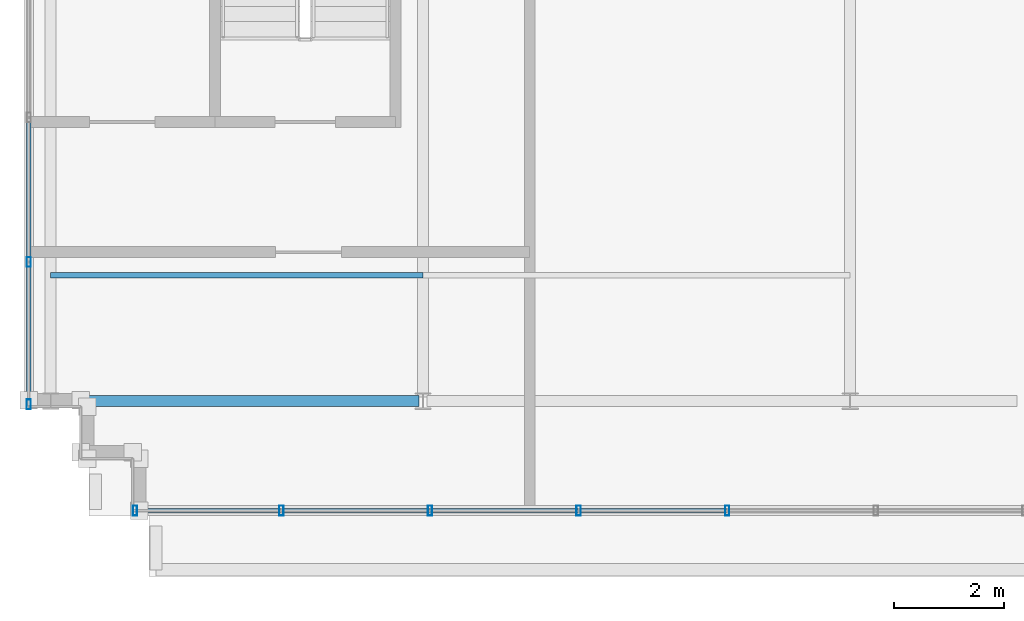
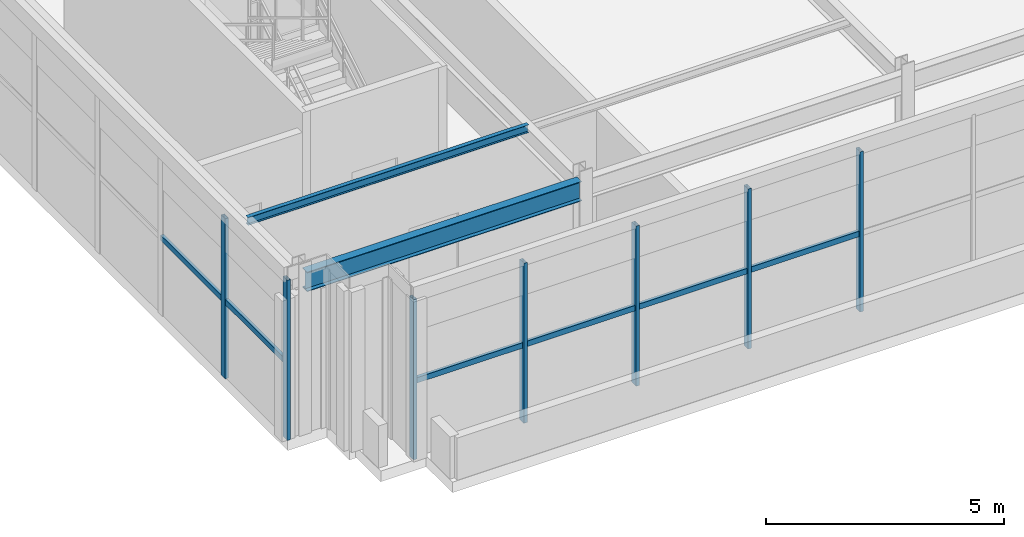
# One storey, part 3 of 31: 14 members, 1 beam, 2 elements without a shape of their own.
"""IFC4 building model written with IfcOpenShell, lengths in metres."""

from ifc_helpers import new_model, si_unit, direction, frame, origin, origin_2d, place, context, subcontext, project, spatial, hollow_rectangle, i_section, extrude, source, transform, mapped, material, material_profile, profile_set, type_object, element, aggregate, save


model = new_model("IFC4")

# Units and contexts
model_context = context("Model", 3, precision=1e-05, world=origin(), true_north=direction((0.0, 1.0)))
body_context = subcontext(model_context, "Body", "Model", "MODEL_VIEW")
ifc_project = project(units=[si_unit("LENGTHUNIT", "METRE"), si_unit("AREAUNIT", "SQUARE_METRE"), si_unit("VOLUMEUNIT", "CUBIC_METRE"), si_unit("PLANEANGLEUNIT", "RADIAN"), si_unit("MASSUNIT", "GRAM", prefix="KILO")], contexts=[model_context])

# Site, building, storey
site_placement = place(None, origin())
site = spatial("IfcSite", under=ifc_project, at=site_placement, CompositionType="ELEMENT")
building_placement = place(site_placement, origin())
building = spatial("IfcBuilding", under=site, at=building_placement, Name="Trelvane Seafront Commons", CompositionType="ELEMENT")
storey_placement = place(building_placement, frame((0.0, 0.0, 307.89990234375)))
storey = spatial("IfcBuildingStorey", under=building, at=storey_placement, Name="L80", CompositionType="ELEMENT", Elevation=307.89990234375)

# Beam
ifc_material_1 = material(Name="Steel SM355 (S355)", Category="steel")
ifc_material_profile_1 = material_profile(ifc_material_1, i_section(OverallWidth=0.199951171875, OverallDepth=0.5, WebThickness=0.010009765625, FlangeThickness=0.01611328125, at=origin_2d()), Name="H-500x200x10x16")
ifc_profile_set_1 = profile_set([ifc_material_profile_1], Name="Steel SM355 (S355)")
beam_type = type_object("IfcBeamType", Name="STR-CROWN-FRAME-RING", PredefinedType="SPANDREL", material=ifc_profile_set_1)
shared_shape_1 = source(origin(), body_context, "Body", "SweptSolid", [
    extrude(i_section(OverallWidth=0.199951171875, OverallDepth=0.5, WebThickness=0.010009765625, FlangeThickness=0.01611328125, at=origin_2d()), origin(), (0.0, 0.0, 1.0), 6.64990234375),
])
beam_placement = place(storey_placement, frame((8.875, 18.199951171875, 3.85009765625), z_axis=(1.0, 0.0, 0.0), x_axis=(0.0, 1.0, 0.0)))
element("IfcBeam", 1, at=beam_placement, inside=storey, type_object=beam_type, Name="L80 CROWN FRAME Ring Beam G-01", PredefinedType="SPANDREL", context=body_context, shape_type="MappedRepresentation", body=[
    mapped(shared_shape_1, transform((0.0, 0.0, 0.0), x_axis=(1.0, 0.0, 0.0), y_axis=(0.0, 1.0, 0.0), z_axis=(0.0, 0.0, 1.0), scale=1.0)),
])

# Member
ifc_material_profile_2 = material_profile(ifc_material_1, i_section(OverallWidth=0.10009765625, OverallDepth=0.199951171875, WebThickness=0.005615234375, FlangeThickness=0.008056640625, at=origin_2d()), Name="H-200x100x5.5x8")
ifc_profile_set_2 = profile_set([ifc_material_profile_2], Name="Steel SM355 (S355)")
member_type_1 = type_object("IfcMemberType", Name="STR-PUR-H200", PredefinedType="PURLIN", material=ifc_profile_set_2)
shared_shape_2 = source(origin(), body_context, "Body", "SweptSolid", [
    extrude(i_section(OverallWidth=0.10009765625, OverallDepth=0.199951171875, WebThickness=0.005615234375, FlangeThickness=0.008056640625, at=origin_2d()), origin(), (0.0, 0.0, 1.0), 6.800048828125),
])
member_1_placement = place(storey_placement, frame((8.800048828125, 20.5, 4.0), z_axis=(1.0, 0.0, 0.0), x_axis=(0.0, 1.0, 0.0)))
element("IfcMember", 2, at=member_1_placement, inside=storey, type_object=member_type_1, Name="L80 Crown Roof Purlin PR-1", PredefinedType="PURLIN", context=body_context, shape_type="MappedRepresentation", body=[
    mapped(shared_shape_2, transform((0.0, 0.0, 0.0), x_axis=(1.0, 0.0, 0.0), y_axis=(0.0, 1.0, 0.0), z_axis=(0.0, 0.0, 1.0), scale=1.0)),
])

# Curtain wall, members
ifc_material_2 = material(Name="Anodised pale-silver aluminium", Category="aluminium")
curtain_wall_type = type_object("IfcCurtainWallType", Name="ARCH-CW6-CROWN", PredefinedType="NOTDEFINED", material=ifc_material_2)
curtain_wall_1_placement = place(storey_placement, origin())
curtain_wall_1 = element("IfcCurtainWall", 3, at=curtain_wall_1_placement, inside=storey, type_object=curtain_wall_type, Name="CW-L80-0136", PredefinedType="NOTDEFINED")
ifc_material_profile_3 = material_profile(ifc_material_2, hollow_rectangle(XDim=0.080078125, YDim=0.179931640625, WallThickness=0.00439453125, at=origin_2d()), Name="MULL-80x180x4.5")
ifc_profile_set_3 = profile_set([ifc_material_profile_3], Name="Anodised pale-silver aluminium")
member_type_2 = type_object("IfcMemberType", Name="ARCH-CW-MULL-180", PredefinedType="MULLION", material=ifc_profile_set_3)
shared_shape_3 = source(origin(), body_context, "Body", "SweptSolid", [
    extrude(hollow_rectangle(XDim=0.080078125, YDim=0.179931640625, WallThickness=0.00439453125, at=origin_2d()), origin(), (0.0, 0.0, 1.0), 4.10009765625),
])
member_2_placement = place(storey_placement, frame((8.39990234375, 18.139892578125, 0.0), z_axis=(0.0, 0.0, 1.0), x_axis=(1.0, 0.0, 0.0)))
member_2 = element("IfcMember", 4, at=member_2_placement, type_object=member_type_2, Name="CW-L80-0136-M00", PredefinedType="MULLION", context=body_context, shape_type="MappedRepresentation", body=[
    mapped(shared_shape_3, transform((0.0, 0.0, 0.0), x_axis=(1.0, 0.0, 0.0), y_axis=(0.0, 1.0, 0.0), z_axis=(0.0, 0.0, 1.0), scale=1.0)),
])
member_3_placement = place(storey_placement, frame((8.39990234375, 20.739990234375, 0.0), z_axis=(0.0, 0.0, 1.0), x_axis=(1.0, 0.0, 0.0)))
member_3 = element("IfcMember", 5, at=member_3_placement, type_object=member_type_2, Name="CW-L80-0136-M01", PredefinedType="MULLION", context=body_context, shape_type="MappedRepresentation", body=[
    mapped(shared_shape_3, transform((0.0, 0.0, 0.0), x_axis=(1.0, 0.0, 0.0), y_axis=(0.0, 1.0, 0.0), z_axis=(0.0, 0.0, 1.0), scale=1.0)),
])

curtain_wall_2_placement = place(storey_placement, origin())
curtain_wall_2 = element("IfcCurtainWall", 6, at=curtain_wall_2_placement, inside=storey, type_object=curtain_wall_type, Name="CW-L80-0139", PredefinedType="NOTDEFINED")
member_4_placement = place(storey_placement, frame((21.156982421875, 16.199951171875, 0.0), z_axis=(0.0, 0.0, 1.0), x_axis=(1.0, 0.0, 0.0)))
member_4 = element("IfcMember", 7, at=member_4_placement, type_object=member_type_2, Name="CW-L80-0139-M03", PredefinedType="MULLION", context=body_context, shape_type="MappedRepresentation", body=[
    mapped(shared_shape_3, transform((0.0, 0.0, 0.0), x_axis=(1.0, 0.0, 0.0), y_axis=(0.0, 1.0, 0.0), z_axis=(0.0, 0.0, 1.0), scale=1.0)),
])
member_5_placement = place(storey_placement, frame((18.44287109375, 16.199951171875, 0.0), z_axis=(0.0, 0.0, 1.0), x_axis=(1.0, 0.0, 0.0)))
member_5 = element("IfcMember", 8, at=member_5_placement, type_object=member_type_2, Name="CW-L80-0139-M04", PredefinedType="MULLION", context=body_context, shape_type="MappedRepresentation", body=[
    mapped(shared_shape_3, transform((0.0, 0.0, 0.0), x_axis=(1.0, 0.0, 0.0), y_axis=(0.0, 1.0, 0.0), z_axis=(0.0, 0.0, 1.0), scale=1.0)),
])
member_6_placement = place(storey_placement, frame((15.728515625, 16.199951171875, 0.0), z_axis=(0.0, 0.0, 1.0), x_axis=(1.0, 0.0, 0.0)))
member_6 = element("IfcMember", 9, at=member_6_placement, type_object=member_type_2, Name="CW-L80-0139-M05", PredefinedType="MULLION", context=body_context, shape_type="MappedRepresentation", body=[
    mapped(shared_shape_3, transform((0.0, 0.0, 0.0), x_axis=(1.0, 0.0, 0.0), y_axis=(0.0, 1.0, 0.0), z_axis=(0.0, 0.0, 1.0), scale=1.0)),
])
member_7_placement = place(storey_placement, frame((13.014404296875, 16.199951171875, 0.0), z_axis=(0.0, 0.0, 1.0), x_axis=(1.0, 0.0, 0.0)))
member_7 = element("IfcMember", 10, at=member_7_placement, type_object=member_type_2, Name="CW-L80-0139-M06", PredefinedType="MULLION", context=body_context, shape_type="MappedRepresentation", body=[
    mapped(shared_shape_3, transform((0.0, 0.0, 0.0), x_axis=(1.0, 0.0, 0.0), y_axis=(0.0, 1.0, 0.0), z_axis=(0.0, 0.0, 1.0), scale=1.0)),
])
member_8_placement = place(storey_placement, frame((10.340087890625, 16.199951171875, 0.0), z_axis=(0.0, 0.0, 1.0), x_axis=(1.0, 0.0, 0.0)))
member_8 = element("IfcMember", 11, at=member_8_placement, type_object=member_type_2, Name="CW-L80-0139-M07", PredefinedType="MULLION", context=body_context, shape_type="MappedRepresentation", body=[
    mapped(shared_shape_3, transform((0.0, 0.0, 0.0), x_axis=(1.0, 0.0, 0.0), y_axis=(0.0, 1.0, 0.0), z_axis=(0.0, 0.0, 1.0), scale=1.0)),
])

# Member
ifc_material_profile_4 = material_profile(ifc_material_2, hollow_rectangle(XDim=0.074951171875, YDim=0.139892578125, WallThickness=0.00390625, at=origin_2d()), Name="TRAN-75x140x4")
ifc_profile_set_4 = profile_set([ifc_material_profile_4], Name="Anodised pale-silver aluminium")
member_type_3 = type_object("IfcMemberType", Name="ARCH-CW-TRAN-140", PredefinedType="USERDEFINED", material=ifc_profile_set_4)
shared_shape_4 = source(origin(), body_context, "Body", "SweptSolid", [
    extrude(hollow_rectangle(XDim=0.074951171875, YDim=0.139892578125, WallThickness=0.00390625, at=origin_2d()), origin(), (0.0, 0.0, 1.0), 2.615966796875),
])
member_9_placement = place(storey_placement, frame((8.39990234375, 18.112060546875, 1.968017578125), z_axis=(0.0, 1.0, 0.0), x_axis=(-1.0, 0.0, 0.0)))
member_9 = element("IfcMember", 12, at=member_9_placement, type_object=member_type_3, Name="CW-L80-0136-T00", ObjectType="TRANSOM", PredefinedType="USERDEFINED", context=body_context, shape_type="MappedRepresentation", body=[
    mapped(shared_shape_4, transform((0.0, 0.0, 0.0), x_axis=(1.0, 0.0, 0.0), y_axis=(0.0, 1.0, 0.0), z_axis=(0.0, 0.0, 1.0), scale=1.0)),
])

member_10_placement = place(storey_placement, frame((8.39990234375, 20.751953125, 1.968017578125), z_axis=(0.0, 1.0, 0.0), x_axis=(-1.0, 0.0, 0.0)))
member_10 = element("IfcMember", 13, at=member_10_placement, type_object=member_type_3, Name="CW-L80-0136-T01", ObjectType="TRANSOM", PredefinedType="USERDEFINED", context=body_context, shape_type="MappedRepresentation", body=[
    mapped(shared_shape_4, transform((0.0, 0.0, 0.0), x_axis=(1.0, 0.0, 0.0), y_axis=(0.0, 1.0, 0.0), z_axis=(0.0, 0.0, 1.0), scale=1.0)),
])

aggregate(curtain_wall_1, [member_2, member_3, member_9, member_10])

shared_shape_5 = source(origin(), body_context, "Body", "SweptSolid", [
    extrude(hollow_rectangle(XDim=0.074951171875, YDim=0.139892578125, WallThickness=0.00390625, at=origin_2d()), origin(), (0.0, 0.0, 1.0), 2.690185546875),
])
member_11_placement = place(storey_placement, frame((21.14501953125, 16.199951171875, 1.968017578125), z_axis=(-1.0, 0.0, 0.0), x_axis=(0.0, -1.0, 0.0)))
member_11 = element("IfcMember", 14, at=member_11_placement, type_object=member_type_3, Name="CW-L80-0139-T03", ObjectType="TRANSOM", PredefinedType="USERDEFINED", context=body_context, shape_type="MappedRepresentation", body=[
    mapped(shared_shape_5, transform((0.0, 0.0, 0.0), x_axis=(1.0, 0.0, 0.0), y_axis=(0.0, 1.0, 0.0), z_axis=(0.0, 0.0, 1.0), scale=1.0)),
])

member_12_placement = place(storey_placement, frame((15.716552734375, 16.199951171875, 1.968017578125), z_axis=(-1.0, 0.0, 0.0), x_axis=(0.0, -1.0, 0.0)))
member_12 = element("IfcMember", 15, at=member_12_placement, type_object=member_type_3, Name="CW-L80-0139-T05", ObjectType="TRANSOM", PredefinedType="USERDEFINED", context=body_context, shape_type="MappedRepresentation", body=[
    mapped(shared_shape_5, transform((0.0, 0.0, 0.0), x_axis=(1.0, 0.0, 0.0), y_axis=(0.0, 1.0, 0.0), z_axis=(0.0, 0.0, 1.0), scale=1.0)),
])

member_13_placement = place(storey_placement, frame((13.002197265625, 16.199951171875, 1.968017578125), z_axis=(-1.0, 0.0, 0.0), x_axis=(0.0, -1.0, 0.0)))
member_13 = element("IfcMember", 16, at=member_13_placement, type_object=member_type_3, Name="CW-L80-0139-T06", ObjectType="TRANSOM", PredefinedType="USERDEFINED", context=body_context, shape_type="MappedRepresentation", body=[
    mapped(shared_shape_5, transform((0.0, 0.0, 0.0), x_axis=(1.0, 0.0, 0.0), y_axis=(0.0, 1.0, 0.0), z_axis=(0.0, 0.0, 1.0), scale=1.0)),
])

shared_shape_6 = source(origin(), body_context, "Body", "SweptSolid", [
    extrude(hollow_rectangle(XDim=0.074951171875, YDim=0.139892578125, WallThickness=0.00390625, at=origin_2d()), origin(), (0.0, 0.0, 1.0), 2.6904296875),
])
member_14_placement = place(storey_placement, frame((18.430908203125, 16.199951171875, 1.968017578125), z_axis=(-1.0, 0.0, 0.0), x_axis=(0.0, -1.0, 0.0)))
member_14 = element("IfcMember", 17, at=member_14_placement, type_object=member_type_3, Name="CW-L80-0139-T04", ObjectType="TRANSOM", PredefinedType="USERDEFINED", context=body_context, shape_type="MappedRepresentation", body=[
    mapped(shared_shape_6, transform((0.0, 0.0, 0.0), x_axis=(1.0, 0.0, 0.0), y_axis=(0.0, 1.0, 0.0), z_axis=(0.0, 0.0, 1.0), scale=1.0)),
])

aggregate(curtain_wall_2, [member_4, member_5, member_6, member_7, member_8, member_11, member_14, member_12, member_13])

save(model, "model.ifc")
